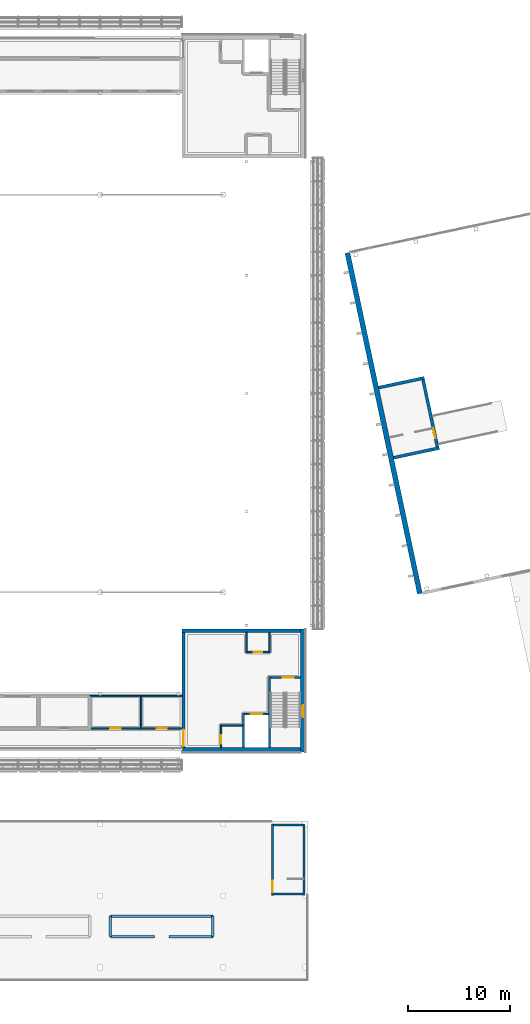
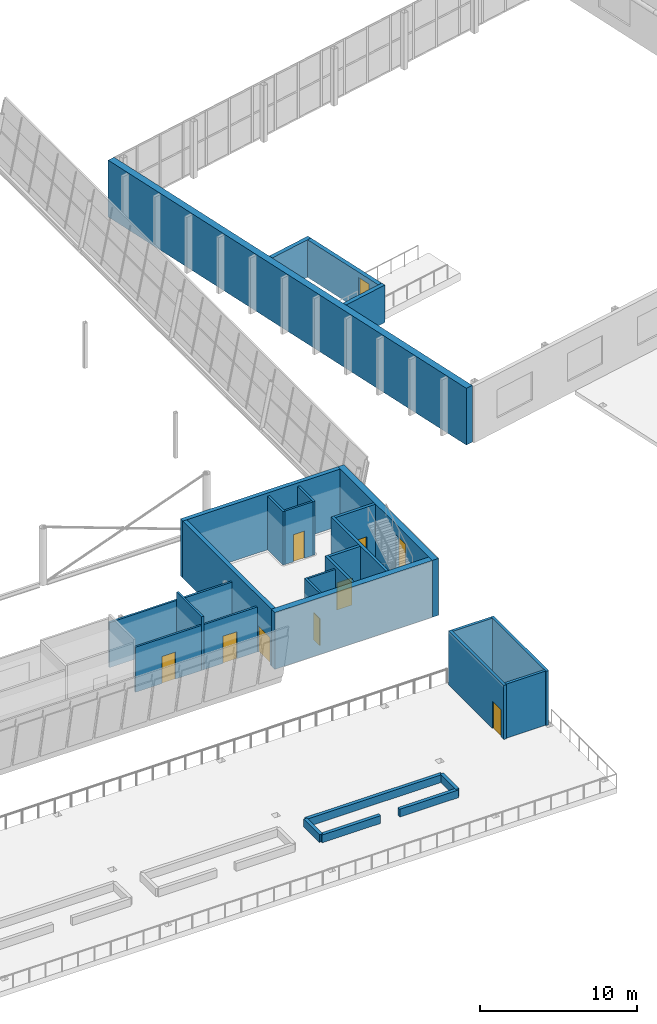
# One storey, part 55 of 95: 31 walls, 9 doors, 1 window, 10 openings.
"""IFC4 building model written with IfcOpenShell, lengths in metres."""

from ifc_helpers import new_model, si_unit, direction, frame, frame_2d, origin, place, context, subcontext, project, spatial, rectangle, extrude, material, layer, layer_set, type_object, element, fill, save


model = new_model("IFC4")

# Units and contexts
model_context = context("Model", 3, precision=1e-05, world=origin(), true_north=direction((0.0, 1.0)))
body_context = subcontext(model_context, "Body", "Model", "MODEL_VIEW")
ifc_project = project(units=[si_unit("LENGTHUNIT", "METRE"), si_unit("AREAUNIT", "SQUARE_METRE"), si_unit("VOLUMEUNIT", "CUBIC_METRE"), si_unit("PLANEANGLEUNIT", "RADIAN"), si_unit("MASSUNIT", "GRAM", prefix="KILO")], contexts=[model_context])

# Site, building, storey
site_placement = place(None, origin())
site = spatial("IfcSite", under=ifc_project, at=site_placement, CompositionType="ELEMENT")
building_placement = place(site_placement, origin())
building = spatial("IfcBuilding", under=site, at=building_placement, Name="Windward Yard Aquatics Centre", CompositionType="ELEMENT")
storey_placement = place(building_placement, frame((0.0, 0.0, 9.39990234375)))
storey = spatial("IfcBuildingStorey", under=building, at=storey_placement, Name="L02", CompositionType="ELEMENT", Elevation=9.39990234375)

# Wall, opening, door
ifc_material_1 = material(Name="Concrete C35/45", Category="concrete")
ifc_layer_1 = layer(ifc_material_1, 0.199951171875)
ifc_layer_set_1 = layer_set([ifc_layer_1], Name="C head-house wall 200")
wall_type_1 = type_object("IfcWallType", Name="C head-house wall 200", PredefinedType="SOLIDWALL", material=ifc_layer_set_1)
wall_1_placement = place(storey_placement, frame((148.800048828125, 12.0, 0.0), z_axis=(0.0, 0.0, 1.0), x_axis=(0.0, 1.0, 0.0)))
wall_1 = element("IfcWall", 1, at=wall_1_placement, inside=storey, type_object=wall_type_1, Name="C.W.L02.S2W", PredefinedType="SOLIDWALL", context=body_context, shape_type="SweptSolid", body=[
    extrude(rectangle(XDim=7.0, YDim=0.199951171875, at=frame_2d((3.5, 0.0))), origin(), (0.0, 0.0, 1.0), 4.2001953125),
])
opening_1_placement = place(wall_1_placement, frame((0.35009765625, 0.0, 0.0)))
opening_1 = element("IfcOpeningElement", 2, at=opening_1_placement, cuts=wall_1, Name="Opening C2003", PredefinedType="OPENING", context=body_context, shape_type="SweptSolid", body=[
    extrude(rectangle(XDim=1.10009765625, YDim=2.10009765625, at=frame_2d((0.550048828125, 1.050048828125))), frame((0.0, 0.10986328125, 0.0), z_axis=(0.0, -1.0, 0.0), x_axis=(1.0, 0.0, 0.0)), (0.0, 0.0, 1.0), 0.219970703125),
])
ifc_material_2 = material(Name="Steel door leaf in steel frame", Category="steel")
door_type_1 = type_object("IfcDoorType", Name="C steel door 1100X2100 FD60", OperationType="SINGLE_SWING_LEFT", PredefinedType="DOOR", material=ifc_material_2)
door_1_placement = place(opening_1_placement, origin())
door_1 = element("IfcDoor", 3, at=door_1_placement, inside=storey, type_object=door_type_1, Name="Stair 2 roof door", OperationType="SINGLE_SWING_LEFT", OverallHeight=2.10009765625, OverallWidth=1.10009765625, PredefinedType="DOOR", context=body_context, shape_type="SweptSolid", body=[
    extrude(rectangle(XDim=1.10009765625, YDim=2.10009765625, at=frame_2d((0.550048828125, 1.050048828125))), frame((0.0, 0.02490234375, 0.0), z_axis=(0.0, -1.0, 0.0), x_axis=(1.0, 0.0, 0.0)), (0.0, 0.0, 1.0), 0.050048828125),
])
fill(opening_1, door_1)

# Walls
wall_2_placement = place(storey_placement, frame((151.89990234375, 12.0, 0.0), z_axis=(0.0, 0.0, 1.0), x_axis=(0.0, 1.0, 0.0)))
element("IfcWall", 4, at=wall_2_placement, inside=storey, type_object=wall_type_1, Name="C.W.L02.S2E", PredefinedType="SOLIDWALL", context=body_context, shape_type="SweptSolid", body=[
    extrude(rectangle(XDim=7.0, YDim=0.199951171875, at=frame_2d((3.5, 0.0))), origin(), (0.0, 0.0, 1.0), 4.2001953125),
])
for number, where, z_axis, x_axis, name in (
    (5, (148.89990234375, 12.14990234375, 0.0), (0.0, 0.0, 1.0), (1.0, 0.0, 0.0), "C.W.L02.S2S"),
    (6, (148.89990234375, 18.89990234375, 0.0), (0.0, 0.0, 1.0), (1.0, 0.0, 0.0), "C.W.L02.S2N"),
):
    element("IfcWall", number, at=place(storey_placement, frame(where, z_axis=z_axis, x_axis=x_axis)), inside=storey, type_object=wall_type_1, Name=name, PredefinedType="SOLIDWALL", context=body_context, shape_type="SweptSolid", body=[
        extrude(rectangle(XDim=2.900146484375, YDim=0.199951171875, at=frame_2d((1.4501953125, 0.0))), origin(), (0.0, 0.0, 1.0), 4.2001953125),
    ])
ifc_material_3 = material(Name="Bituminous waterproofing membrane with root barrier")
ifc_layer_2 = layer(ifc_material_3, 0.005, Name="Waterproofing and root barrier")
ifc_layer_3 = layer(ifc_material_1, 0.245, Name="Structure")
ifc_layer_set_2 = layer_set([ifc_layer_2, ifc_layer_3], Name="C planter wall 250")
wall_type_2 = type_object("IfcWallType", Name="C planter wall 250", PredefinedType="SOLIDWALL", material=ifc_layer_set_2)
for number, where, z_axis, x_axis, name in (
    (7, (133.0, 8.0, 0.0), (0.0, 0.0, 1.0), (1.0, 0.0, 0.0), "C.W.L02.PL7S1"),
    (8, (138.699951171875, 8.0, 0.0), (0.0, 0.0, 1.0), (1.0, 0.0, 0.0), "C.W.L02.PL7S2"),
):
    element("IfcWall", number, at=place(storey_placement, frame(where, z_axis=z_axis, x_axis=x_axis)), inside=storey, type_object=wall_type_2, Name=name, PredefinedType="SOLIDWALL", context=body_context, shape_type="SweptSolid", body=[
        extrude(rectangle(XDim=4.300048828125, YDim=0.25, at=frame_2d((2.14990234375, 0.0))), origin(), (0.0, 0.0, 1.0), 0.60009765625),
    ])
wall_3_placement = place(storey_placement, frame((133.0, 10.0, 0.0), z_axis=(0.0, 0.0, 1.0), x_axis=(1.0, 0.0, 0.0)))
element("IfcWall", 9, at=wall_3_placement, inside=storey, type_object=wall_type_2, Name="C.W.L02.PL7N", PredefinedType="SOLIDWALL", context=body_context, shape_type="SweptSolid", body=[
    extrude(rectangle(XDim=10.0, YDim=0.25, at=frame_2d((5.0, 0.0))), origin(), (0.0, 0.0, 1.0), 0.60009765625),
])
for number, where, z_axis, x_axis, name in (
    (10, (133.0, 8.0, 0.0), (0.0, 0.0, 1.0), (0.0, 1.0, 0.0), "C.W.L02.PL7W"),
    (11, (143.0, 8.0, 0.0), (0.0, 0.0, 1.0), (0.0, 1.0, 0.0), "C.W.L02.PL7E"),
):
    element("IfcWall", number, at=place(storey_placement, frame(where, z_axis=z_axis, x_axis=x_axis)), inside=storey, type_object=wall_type_2, Name=name, PredefinedType="SOLIDWALL", context=body_context, shape_type="SweptSolid", body=[
        extrude(rectangle(XDim=2.0, YDim=0.25, at=frame_2d((1.0, 0.0))), origin(), (0.0, 0.0, 1.0), 0.60009765625),
    ])
ifc_layer_4 = layer(ifc_material_1, 0.300048828125)
ifc_layer_set_3 = layer_set([ifc_layer_4], Name="D tower core wall 300")
wall_type_3 = type_object("IfcWallType", Name="D tower core wall 300", PredefinedType="SOLIDWALL", material=ifc_layer_set_3)
wall_4_placement = place(storey_placement, frame((160.632080078125, 54.72998046875, 0.2001953125), z_axis=(0.0, 0.0, 1.0), x_axis=(0.978144256617, 0.207927423029, 0.0)))
element("IfcWall", 12, at=wall_4_placement, inside=storey, type_object=wall_type_3, Name="D.W.TC.S.L02", PredefinedType="SOLIDWALL", context=body_context, shape_type="SweptSolid", body=[
    extrude(rectangle(XDim=4.5498046875, YDim=0.300048828125, at=frame_2d((2.27490234375, 0.0))), origin(), (0.0, 0.0, 1.0), 2.89990234375),
])
wall_5_placement = place(storey_placement, frame((159.176513671875, 61.5771484375, 0.2001953125), z_axis=(0.0, 0.0, 1.0), x_axis=(0.978146576304, 0.207916510322, 0.0)))
element("IfcWall", 13, at=wall_5_placement, inside=storey, type_object=wall_type_3, Name="D.W.TC.N.L02", PredefinedType="SOLIDWALL", context=body_context, shape_type="SweptSolid", body=[
    extrude(rectangle(XDim=4.550048828125, YDim=0.300048828125, at=frame_2d((2.27490234375, 0.0))), origin(), (0.0, 0.0, 1.0), 2.89990234375),
])

# Wall, opening, door
wall_6_placement = place(storey_placement, frame((164.904541015625, 55.791748046875, 0.2001953125), z_axis=(0.0, 0.0, 1.0), x_axis=(-0.207888827103, 0.978152460287, 0.0)))
wall_6 = element("IfcWall", 14, at=wall_6_placement, inside=storey, type_object=wall_type_3, Name="D.W.TC.E.L02", PredefinedType="SOLIDWALL", context=body_context, shape_type="SweptSolid", body=[
    extrude(rectangle(XDim=6.699951171875, YDim=0.300048828125, at=frame_2d((3.35009765625, 0.0))), origin(), (0.0, 0.0, 1.0), 2.89990234375),
])
opening_2_placement = place(wall_6_placement, frame((0.849853515625, 0.0, 0.39990234375)))
opening_2 = element("IfcOpeningElement", 15, at=opening_2_placement, cuts=wall_6, Name="Opening D2001", PredefinedType="OPENING", context=body_context, shape_type="SweptSolid", body=[
    extrude(rectangle(XDim=1.0, YDim=2.10009765625, at=frame_2d((0.5, 1.050048828125))), frame((0.0, 0.16015625, 0.0), z_axis=(0.0, -1.0, 0.0), x_axis=(1.0, 0.0, 0.0)), (0.0, 0.0, 1.0), 0.320068359375),
])
door_type_2 = type_object("IfcDoorType", Name="D steel door 1000X2100 FD60", OperationType="SINGLE_SWING_LEFT", PredefinedType="DOOR", material=ifc_material_2)
door_2_placement = place(opening_2_placement, origin())
door_2 = element("IfcDoor", 16, at=door_2_placement, inside=storey, type_object=door_type_2, Name="Platform door", OperationType="SINGLE_SWING_LEFT", OverallHeight=2.10009765625, OverallWidth=1.0, PredefinedType="DOOR", context=body_context, shape_type="SweptSolid", body=[
    extrude(rectangle(XDim=1.0, YDim=2.10009765625, at=frame_2d((0.5, 1.050048828125))), frame((0.0, 0.02490234375, 0.0), z_axis=(0.0, -1.0, 0.0), x_axis=(1.0, 0.0, 0.0)), (0.0, 0.0, 1.0), 0.050048828125),
])
fill(opening_2, door_2)

# Walls
ifc_layer_5 = layer(ifc_material_1, 0.5)
ifc_layer_set_4 = layer_set([ifc_layer_5], Name="D tower end wall 500")
wall_type_4 = type_object("IfcWallType", Name="D tower end wall 500", PredefinedType="SOLIDWALL", material=ifc_layer_set_4)
wall_7_placement = place(storey_placement, frame((163.194091796875, 41.47314453125, 0.0), z_axis=(0.0, 0.0, 1.0), x_axis=(-0.20790710573, 0.978148575313, 0.0)))
element("IfcWall", 17, at=wall_7_placement, inside=storey, type_object=wall_type_4, Name="D.W.W.L02", PredefinedType="SOLIDWALL", context=body_context, shape_type="SweptSolid", body=[
    extrude(rectangle(XDim=34.0, YDim=0.5, at=frame_2d((17.0, 0.0))), origin(), (0.0, 0.0, 1.0), 4.400146484375),
])
ifc_layer_6 = layer(ifc_material_1, 0.199951171875)
ifc_layer_set_5 = layer_set([ifc_layer_6], Name="H Enclosure Wall Concrete C35/45 200")
wall_type_5 = type_object("IfcWallType", Name="H Enclosure Wall Concrete C35/45 200", PredefinedType="SOLIDWALL", material=ifc_layer_set_5)
wall_8_placement = place(storey_placement, frame((148.5, 26.449951171875, 0.0), z_axis=(0.0, 0.0, 1.0), x_axis=(0.0, 1.0, 0.0)))
element("IfcWall", 18, at=wall_8_placement, inside=storey, type_object=wall_type_5, Name="L02 W1 enclosure wall SE", PredefinedType="SOLIDWALL", context=body_context, shape_type="SweptSolid", body=[
    extrude(rectangle(XDim=6.949951171875, YDim=0.199951171875, at=frame_2d((3.47509765625, 0.0))), origin(), (0.0, 0.0, 1.0), 4.400146484375),
])

# Wall, opening, door
wall_9_placement = place(storey_placement, frame((151.550048828125, 33.300048828125, 0.0), z_axis=(0.0, 0.0, 1.0), x_axis=(-1.0, 0.0, 0.0)))
wall_9 = element("IfcWall", 19, at=wall_9_placement, inside=storey, type_object=wall_type_5, Name="L02 W2 enclosure wall SE", PredefinedType="SOLIDWALL", context=body_context, shape_type="SweptSolid", body=[
    extrude(rectangle(XDim=2.949951171875, YDim=0.199951171875, at=frame_2d((1.47509765625, 0.0))), origin(), (0.0, 0.0, 1.0), 4.400146484375),
])
opening_3_placement = place(wall_9_placement, frame((0.64990234375, 0.0, 0.0)))
opening_3 = element("IfcOpeningElement", 20, at=opening_3_placement, cuts=wall_9, Name="Opening H2006", PredefinedType="OPENING", context=body_context, shape_type="SweptSolid", body=[
    extrude(rectangle(XDim=1.10009765625, YDim=2.10009765625, at=frame_2d((0.550048828125, 1.050048828125))), frame((0.0, 0.10986328125, 0.0), z_axis=(0.0, -1.0, 0.0), x_axis=(1.0, 0.0, 0.0)), (0.0, 0.0, 1.0), 0.219970703125),
])
ifc_material_4 = material(Name="Steel and timber door leaf", Category="steel")
door_type_3 = type_object("IfcDoorType", Name="H Door Single 1100 x 2100 FD60", OperationType="NOTDEFINED", PredefinedType="DOOR", material=ifc_material_4)
door_3_placement = place(opening_3_placement, origin())
door_3 = element("IfcDoor", 21, at=door_3_placement, inside=storey, type_object=door_type_3, Name="L02 stair SE door", OperationType="SINGLE_SWING_RIGHT", OverallHeight=2.10009765625, OverallWidth=1.10009765625, PredefinedType="DOOR", context=body_context, shape_type="SweptSolid", body=[
    extrude(rectangle(XDim=1.10009765625, YDim=2.10009765625, at=frame_2d((0.550048828125, 1.050048828125))), frame((0.0, 0.02490234375, 0.0), z_axis=(0.0, -1.0, 0.0), x_axis=(1.0, 0.0, 0.0)), (0.0, 0.0, 1.0), 0.050048828125),
])
fill(opening_3, door_3)

# Wall
wall_10_placement = place(storey_placement, frame((146.0, 26.449951171875, 0.0), z_axis=(0.0, 0.0, 1.0), x_axis=(0.0, 1.0, 0.0)))
element("IfcWall", 22, at=wall_10_placement, inside=storey, type_object=wall_type_5, Name="L02 W3 enclosure wall SE", PredefinedType="SOLIDWALL", context=body_context, shape_type="SweptSolid", body=[
    extrude(rectangle(XDim=3.400146484375, YDim=0.199951171875, at=frame_2d((1.7001953125, 0.0))), origin(), (0.0, 0.0, 1.0), 4.400146484375),
])

# Wall, opening, door
wall_11_placement = place(storey_placement, frame((148.39990234375, 29.75, 0.0), z_axis=(0.0, 0.0, 1.0), x_axis=(-1.0, 0.0, 0.0)))
wall_11 = element("IfcWall", 23, at=wall_11_placement, inside=storey, type_object=wall_type_5, Name="L02 W4 enclosure wall SE", PredefinedType="SOLIDWALL", context=body_context, shape_type="SweptSolid", body=[
    extrude(rectangle(XDim=2.2998046875, YDim=0.199951171875, at=frame_2d((1.14990234375, 0.0))), origin(), (0.0, 0.0, 1.0), 4.400146484375),
])
opening_4_placement = place(wall_11_placement, frame((0.60009765625, 0.0, 0.0)))
opening_4 = element("IfcOpeningElement", 24, at=opening_4_placement, cuts=wall_11, Name="Opening H2007", PredefinedType="OPENING", context=body_context, shape_type="SweptSolid", body=[
    extrude(rectangle(XDim=1.10009765625, YDim=2.10009765625, at=frame_2d((0.550048828125, 1.050048828125))), frame((0.0, 0.10986328125, 0.0), z_axis=(0.0, -1.0, 0.0), x_axis=(1.0, 0.0, 0.0)), (0.0, 0.0, 1.0), 0.219970703125),
])
ifc_material_5 = material(Name="Stainless steel 1.4301", Category="steel")
door_type_4 = type_object("IfcDoorType", Name="H Lift Landing Door 1100 x 2100", OperationType="DOUBLE_DOOR_SLIDING", PredefinedType="DOOR", material=ifc_material_5)
door_4_placement = place(opening_4_placement, origin())
door_4 = element("IfcDoor", 25, at=door_4_placement, inside=storey, type_object=door_type_4, Name="Lift SE landing door L02", OperationType="DOUBLE_DOOR_SLIDING", OverallHeight=2.10009765625, OverallWidth=1.10009765625, PredefinedType="DOOR", context=body_context, shape_type="SweptSolid", body=[
    extrude(rectangle(XDim=1.10009765625, YDim=2.10009765625, at=frame_2d((0.550048828125, 1.050048828125))), frame((0.0, 0.02490234375, 0.0), z_axis=(0.0, -1.0, 0.0), x_axis=(1.0, 0.0, 0.0)), (0.0, 0.0, 1.0), 0.050048828125),
])
fill(opening_4, door_4)

# Wall
ifc_material_6 = material(Name="Blockwork 150 mm", Category="masonry")
ifc_layer_7 = layer(ifc_material_6, 0.14990234375)
ifc_layer_set_6 = layer_set([ifc_layer_7], Name="H Partition Blockwork 150")
wall_type_6 = type_object("IfcWallType", Name="H Partition Blockwork 150", PredefinedType="PARTITIONING", material=ifc_layer_set_6)
wall_12_placement = place(storey_placement, frame((145.89990234375, 28.60009765625, 0.0), z_axis=(0.0, 0.0, 1.0), x_axis=(-1.0, 0.0, 0.0)))
element("IfcWall", 26, at=wall_12_placement, inside=storey, type_object=wall_type_6, Name="L02 R1N riser wall SE", PredefinedType="PARTITIONING", context=body_context, shape_type="SweptSolid", body=[
    extrude(rectangle(XDim=2.02490234375, YDim=0.14990234375, at=frame_2d((1.012451171875, 0.0))), origin(), (0.0, 0.0, 1.0), 4.150146484375),
])

# Wall, opening, door
wall_13_placement = place(storey_placement, frame((143.800048828125, 26.449951171875, 0.0), z_axis=(0.0, 0.0, 1.0), x_axis=(0.0, 1.0, 0.0)))
wall_13 = element("IfcWall", 27, at=wall_13_placement, inside=storey, type_object=wall_type_6, Name="L02 R1E riser wall SE", PredefinedType="PARTITIONING", context=body_context, shape_type="SweptSolid", body=[
    extrude(rectangle(XDim=2.22509765625, YDim=0.14990234375, at=frame_2d((1.112548828125, 0.0))), origin(), (0.0, 0.0, 1.0), 4.150146484375),
])
opening_5_placement = place(wall_13_placement, frame((0.39990234375, 0.0, 0.0)))
opening_5 = element("IfcOpeningElement", 28, at=opening_5_placement, cuts=wall_13, Name="Opening H2008", PredefinedType="OPENING", context=body_context, shape_type="SweptSolid", body=[
    extrude(rectangle(XDim=0.800048828125, YDim=2.10009765625, at=frame_2d((0.39990234375, 1.050048828125))), frame((0.0, 0.0849609375, 0.0), z_axis=(0.0, -1.0, 0.0), x_axis=(1.0, 0.0, 0.0)), (0.0, 0.0, 1.0), 0.169921875),
])
door_type_5 = type_object("IfcDoorType", Name="H Door Riser 800 x 2100 FD60", OperationType="NOTDEFINED", PredefinedType="DOOR", material=ifc_material_4)
door_5_placement = place(opening_5_placement, origin())
door_5 = element("IfcDoor", 29, at=door_5_placement, inside=storey, type_object=door_type_5, Name="L02 electrical riser SE door", OperationType="SINGLE_SWING_LEFT", OverallHeight=2.10009765625, OverallWidth=0.800048828125, PredefinedType="DOOR", context=body_context, shape_type="SweptSolid", body=[
    extrude(rectangle(XDim=0.800048828125, YDim=2.10009765625, at=frame_2d((0.39990234375, 1.050048828125))), frame((0.0, 0.02490234375, 0.0), z_axis=(0.0, -1.0, 0.0), x_axis=(1.0, 0.0, 0.0)), (0.0, 0.0, 1.0), 0.050048828125),
])
fill(opening_5, door_5)

wall_14_placement = place(storey_placement, frame((148.425048828125, 35.800048828125, 0.0), z_axis=(0.0, 0.0, 1.0), x_axis=(-1.0, 0.0, 0.0)))
wall_14 = element("IfcWall", 30, at=wall_14_placement, inside=storey, type_object=wall_type_6, Name="L02 R2S riser wall SE", PredefinedType="PARTITIONING", context=body_context, shape_type="SweptSolid", body=[
    extrude(rectangle(XDim=2.050048828125, YDim=0.14990234375, at=frame_2d((1.02490234375, 0.0))), origin(), (0.0, 0.0, 1.0), 4.150146484375),
])
opening_6_placement = place(wall_14_placement, frame((0.625, 0.0, 0.0)))
opening_6 = element("IfcOpeningElement", 31, at=opening_6_placement, cuts=wall_14, Name="Opening H2009", PredefinedType="OPENING", context=body_context, shape_type="SweptSolid", body=[
    extrude(rectangle(XDim=0.800048828125, YDim=2.10009765625, at=frame_2d((0.39990234375, 1.050048828125))), frame((0.0, 0.0849609375, 0.0), z_axis=(0.0, -1.0, 0.0), x_axis=(1.0, 0.0, 0.0)), (0.0, 0.0, 1.0), 0.169921875),
])
door_6_placement = place(opening_6_placement, origin())
door_6 = element("IfcDoor", 32, at=door_6_placement, inside=storey, type_object=door_type_5, Name="L02 communications riser SE door", OperationType="SINGLE_SWING_RIGHT", OverallHeight=2.10009765625, OverallWidth=0.800048828125, PredefinedType="DOOR", context=body_context, shape_type="SweptSolid", body=[
    extrude(rectangle(XDim=0.800048828125, YDim=2.10009765625, at=frame_2d((0.39990234375, 1.050048828125))), frame((0.0, 0.02490234375, 0.0), z_axis=(0.0, -1.0, 0.0), x_axis=(1.0, 0.0, 0.0)), (0.0, 0.0, 1.0), 0.050048828125),
])
fill(opening_6, door_6)

# Walls
for number, where, z_axis, x_axis, name in (
    (33, (148.5, 35.72509765625, 0.0), (0.0, 0.0, 1.0), (0.0, 1.0, 0.0), "L02 R2W riser wall SE"),
    (34, (146.300048828125, 35.72509765625, 0.0), (0.0, 0.0, 1.0), (0.0, 1.0, 0.0), "L02 R2E riser wall SE"),
):
    element("IfcWall", number, at=place(storey_placement, frame(where, z_axis=z_axis, x_axis=x_axis)), inside=storey, type_object=wall_type_6, Name=name, PredefinedType="PARTITIONING", context=body_context, shape_type="SweptSolid", body=[
        extrude(rectangle(XDim=1.974853515625, YDim=0.14990234375, at=frame_2d((0.9873046875, 0.0))), origin(), (0.0, 0.0, 1.0), 4.150146484375),
    ])

# Wall, opening, door
wall_15_placement = place(storey_placement, frame((131.074951171875, 28.300048828125, 0.0), z_axis=(0.0, 0.0, 1.0), x_axis=(1.0, 0.0, 0.0)))
wall_15 = element("IfcWall", 35, at=wall_15_placement, inside=storey, type_object=wall_type_6, Name="L02 partition Upper WC Women", PredefinedType="PARTITIONING", context=body_context, shape_type="SweptSolid", body=[
    extrude(rectangle(XDim=4.85009765625, YDim=0.14990234375, at=frame_2d((2.425048828125, 0.0))), origin(), (0.0, 0.0, 1.0), 3.49609375),
])
opening_7_placement = place(wall_15_placement, frame((1.925048828125, 0.0, 0.0)))
opening_7 = element("IfcOpeningElement", 36, at=opening_7_placement, cuts=wall_15, Name="Opening H2027", PredefinedType="OPENING", context=body_context, shape_type="SweptSolid", body=[
    extrude(rectangle(XDim=1.0, YDim=2.10009765625, at=frame_2d((0.5, 1.050048828125))), frame((0.0, 0.0849609375, 0.0), z_axis=(0.0, -1.0, 0.0), x_axis=(1.0, 0.0, 0.0)), (0.0, 0.0, 1.0), 0.169921875),
])
door_type_6 = type_object("IfcDoorType", Name="H Door Single 1000 x 2100 FD30S", OperationType="NOTDEFINED", PredefinedType="DOOR", material=ifc_material_4)
door_7_placement = place(opening_7_placement, origin())
door_7 = element("IfcDoor", 37, at=door_7_placement, inside=storey, type_object=door_type_6, Name="L02 Upper WC Women door", OperationType="SINGLE_SWING_RIGHT", OverallHeight=2.10009765625, OverallWidth=1.0, PredefinedType="DOOR", context=body_context, shape_type="SweptSolid", body=[
    extrude(rectangle(XDim=1.0, YDim=2.10009765625, at=frame_2d((0.5, 1.050048828125))), frame((0.0, 0.02490234375, 0.0), z_axis=(0.0, -1.0, 0.0), x_axis=(1.0, 0.0, 0.0)), (0.0, 0.0, 1.0), 0.050048828125),
])
fill(opening_7, door_7)

# Walls
wall_16_placement = place(storey_placement, frame((136.0, 31.40966796875, 0.0), z_axis=(0.0, 0.0, 1.0), x_axis=(0.0, -1.0, 0.0)))
element("IfcWall", 38, at=wall_16_placement, inside=storey, type_object=wall_type_6, Name="L02 partition Upper WC Women", PredefinedType="PARTITIONING", context=body_context, shape_type="SweptSolid", body=[
    extrude(rectangle(XDim=3.1845703125, YDim=0.14990234375, at=frame_2d((1.59228515625, 0.0))), origin(), (0.0, 0.0, 1.0), 4.150146484375),
])
wall_17_placement = place(storey_placement, frame((131.0, 31.484619140625, 0.0), z_axis=(0.0, 0.0, 1.0), x_axis=(1.0, 0.0, 0.0)))
element("IfcWall", 39, at=wall_17_placement, inside=storey, type_object=wall_type_6, Name="L02 wall Upper WC Women", PredefinedType="PARTITIONING", context=body_context, shape_type="SweptSolid", body=[
    extrude(rectangle(XDim=5.0, YDim=0.14990234375, at=frame_2d((2.5, 0.0))), origin(), (0.0, 0.0, 1.0), 3.49609375),
])

# Wall, opening, door
wall_18_placement = place(storey_placement, frame((136.074951171875, 28.300048828125, 0.0), z_axis=(0.0, 0.0, 1.0), x_axis=(1.0, 0.0, 0.0)))
wall_18 = element("IfcWall", 40, at=wall_18_placement, inside=storey, type_object=wall_type_6, Name="L02 partition Accessible WC", PredefinedType="PARTITIONING", context=body_context, shape_type="SweptSolid", body=[
    extrude(rectangle(XDim=3.925048828125, YDim=0.14990234375, at=frame_2d((1.96240234375, 0.0))), origin(), (0.0, 0.0, 1.0), 3.49609375),
])
opening_8_placement = place(wall_18_placement, frame((1.425048828125, 0.0, 0.0)))
opening_8 = element("IfcOpeningElement", 41, at=opening_8_placement, cuts=wall_18, Name="Opening H2028", PredefinedType="OPENING", context=body_context, shape_type="SweptSolid", body=[
    extrude(rectangle(XDim=1.0, YDim=2.10009765625, at=frame_2d((0.5, 1.050048828125))), frame((0.0, 0.0849609375, 0.0), z_axis=(0.0, -1.0, 0.0), x_axis=(1.0, 0.0, 0.0)), (0.0, 0.0, 1.0), 0.169921875),
])
door_8_placement = place(opening_8_placement, origin())
door_8 = element("IfcDoor", 42, at=door_8_placement, inside=storey, type_object=door_type_6, Name="L02 Accessible WC door", OperationType="SINGLE_SWING_LEFT", OverallHeight=2.10009765625, OverallWidth=1.0, PredefinedType="DOOR", context=body_context, shape_type="SweptSolid", body=[
    extrude(rectangle(XDim=1.0, YDim=2.10009765625, at=frame_2d((0.5, 1.050048828125))), frame((0.0, 0.02490234375, 0.0), z_axis=(0.0, -1.0, 0.0), x_axis=(1.0, 0.0, 0.0)), (0.0, 0.0, 1.0), 0.050048828125),
])
fill(opening_8, door_8)

# Wall
wall_19_placement = place(storey_placement, frame((136.0, 31.484619140625, 0.0), z_axis=(0.0, 0.0, 1.0), x_axis=(1.0, 0.0, 0.0)))
element("IfcWall", 43, at=wall_19_placement, inside=storey, type_object=wall_type_6, Name="L02 wall Accessible WC", PredefinedType="PARTITIONING", context=body_context, shape_type="SweptSolid", body=[
    extrude(rectangle(XDim=4.0, YDim=0.14990234375, at=frame_2d((2.0, 0.0))), origin(), (0.0, 0.0, 1.0), 3.49609375),
])

# Wall, opening, window
ifc_material_7 = material(Name="Natural stone cladding", Category="masonry")
ifc_layer_8 = layer(ifc_material_7, 0.04, Name="Cladding")
ifc_material_8 = material(Name="Ventilated air cavity")
ifc_layer_9 = layer(ifc_material_8, 0.05, ventilated=True, Name="Ventilated cavity")
ifc_material_9 = material(Name="Mineral wool insulation")
ifc_layer_10 = layer(ifc_material_9, 0.08, Name="Insulation")
ifc_layer_11 = layer(ifc_material_1, 0.28, Name="Structure")
ifc_layer_set_7 = layer_set([ifc_layer_8, ifc_layer_9, ifc_layer_10, ifc_layer_11], Name="H plinth wall stone faced 450 C35/45")
wall_type_7 = type_object("IfcWallType", Name="H plinth wall stone faced 450 C35/45", PredefinedType="ELEMENTEDWALL", material=ifc_layer_set_7)
wall_20_placement = place(storey_placement, frame((151.77490234375, 26.0, 0.0), z_axis=(0.0, 0.0, 1.0), x_axis=(0.0, 1.0, 0.0)))
wall_20 = element("IfcWall", 44, at=wall_20_placement, inside=storey, type_object=wall_type_7, Name="H.CW.SE.E.L02", PredefinedType="ELEMENTEDWALL", context=body_context, shape_type="SweptSolid", body=[
    extrude(rectangle(XDim=12.0, YDim=0.449951171875, at=frame_2d((6.0, 0.0))), origin(), (0.0, 0.0, 1.0), 4.400146484375),
])
opening_9_placement = place(wall_20_placement, frame((3.39990234375, 0.0, 0.60009765625)))
opening_9 = element("IfcOpeningElement", 45, at=opening_9_placement, cuts=wall_20, Name="Opening W2045", PredefinedType="OPENING", context=body_context, shape_type="SweptSolid", body=[
    extrude(rectangle(XDim=1.199951171875, YDim=3.0, at=frame_2d((0.60009765625, 1.5))), frame((0.0, 0.23486328125, 0.0), z_axis=(0.0, -1.0, 0.0), x_axis=(1.0, 0.0, 0.0)), (0.0, 0.0, 1.0), 0.469970703125),
])
ifc_material_10 = material(Name="Fire-resisting glazing in steel frame", Category="steel")
window_type = type_object("IfcWindowType", Name="H Core Stair Window 1200 x 3000 EI 60", PartitioningType="SINGLE_PANEL", PredefinedType="WINDOW", material=ifc_material_10)
window_placement = place(opening_9_placement, origin())
window = element("IfcWindow", 46, at=window_placement, inside=storey, type_object=window_type, Name="L02 core SE stair window", OverallHeight=3.0, OverallWidth=1.199951171875, PartitioningType="SINGLE_PANEL", PredefinedType="WINDOW", context=body_context, shape_type="SweptSolid", body=[
    extrude(rectangle(XDim=1.199951171875, YDim=3.0, at=frame_2d((0.60009765625, 1.5))), frame((0.0, 0.030029296875, 0.0), z_axis=(0.0, -1.0, 0.0), x_axis=(1.0, 0.0, 0.0)), (0.0, 0.0, 1.0), 0.06005859375),
])
fill(opening_9, window)

# Wall
wall_21_placement = place(storey_placement, frame((151.550048828125, 26.22509765625, 0.0), z_axis=(0.0, 0.0, 1.0), x_axis=(-1.0, 0.0, 0.0)))
element("IfcWall", 47, at=wall_21_placement, inside=storey, type_object=wall_type_7, Name="H.CW.SE.S.L02", PredefinedType="ELEMENTEDWALL", context=body_context, shape_type="SweptSolid", body=[
    extrude(rectangle(XDim=11.550048828125, YDim=0.449951171875, at=frame_2d((5.77490234375, 0.0))), origin(), (0.0, 0.0, 1.0), 4.400146484375),
])

# Wall, opening, door
ifc_layer_12 = layer(ifc_material_1, 0.300048828125)
ifc_layer_set_8 = layer_set([ifc_layer_12], Name="H rear wall 300 C35/45")
wall_type_8 = type_object("IfcWallType", Name="H rear wall 300 C35/45", PredefinedType="SOLIDWALL", material=ifc_layer_set_8)
wall_22_placement = place(storey_placement, frame((140.14990234375, 26.449951171875, 0.0), z_axis=(0.0, 0.0, 1.0), x_axis=(0.0, 1.0, 0.0)))
wall_22 = element("IfcWall", 48, at=wall_22_placement, inside=storey, type_object=wall_type_8, Name="H.CW.SE.W.L02", PredefinedType="SOLIDWALL", context=body_context, shape_type="SweptSolid", body=[
    extrude(rectangle(XDim=11.25, YDim=0.300048828125, at=frame_2d((5.625, 0.0))), origin(), (0.0, 0.0, 1.0), 4.400146484375),
])
opening_10_placement = place(wall_22_placement, frame((0.14990234375, 0.0, 0.0)))
opening_10 = element("IfcOpeningElement", 49, at=opening_10_placement, cuts=wall_22, Name="Opening H2010", PredefinedType="OPENING", context=body_context, shape_type="SweptSolid", body=[
    extrude(rectangle(XDim=1.60009765625, YDim=2.10009765625, at=frame_2d((0.800048828125, 1.050048828125))), frame((0.0, 0.16015625, 0.0), z_axis=(0.0, -1.0, 0.0), x_axis=(1.0, 0.0, 0.0)), (0.0, 0.0, 1.0), 0.320068359375),
])
door_type_7 = type_object("IfcDoorType", Name="H Door Double 1600 x 2100 FD60", OperationType="DOUBLE_DOOR_SINGLE_SWING", PredefinedType="DOOR", material=ifc_material_4)
door_9_placement = place(opening_10_placement, origin())
door_9 = element("IfcDoor", 50, at=door_9_placement, inside=storey, type_object=door_type_7, Name="L02 core SE door to strip", OperationType="DOUBLE_DOOR_SINGLE_SWING", OverallHeight=2.10009765625, OverallWidth=1.60009765625, PredefinedType="DOOR", context=body_context, shape_type="SweptSolid", body=[
    extrude(rectangle(XDim=1.60009765625, YDim=2.10009765625, at=frame_2d((0.800048828125, 1.050048828125))), frame((0.0, 0.02490234375, 0.0), z_axis=(0.0, -1.0, 0.0), x_axis=(1.0, 0.0, 0.0)), (0.0, 0.0, 1.0), 0.050048828125),
])
fill(opening_10, door_9)

# Wall
wall_23_placement = place(storey_placement, frame((151.550048828125, 37.85009765625, 0.0), z_axis=(0.0, 0.0, 1.0), x_axis=(-1.0, 0.0, 0.0)))
element("IfcWall", 51, at=wall_23_placement, inside=storey, type_object=wall_type_8, Name="H.CW.SE.N.L02", PredefinedType="SOLIDWALL", context=body_context, shape_type="SweptSolid", body=[
    extrude(rectangle(XDim=11.550048828125, YDim=0.300048828125, at=frame_2d((5.77490234375, 0.0))), origin(), (0.0, 0.0, 1.0), 4.400146484375),
])

save(model, "model.ifc")
